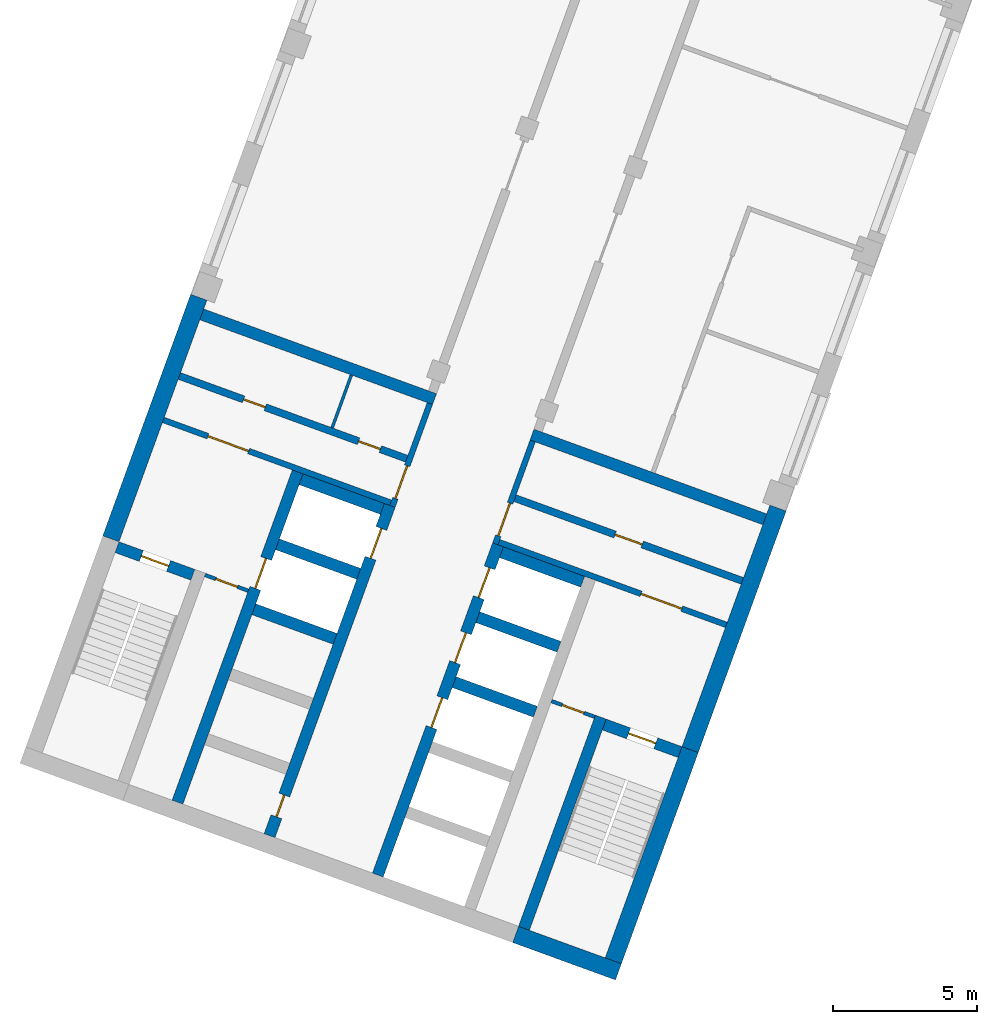
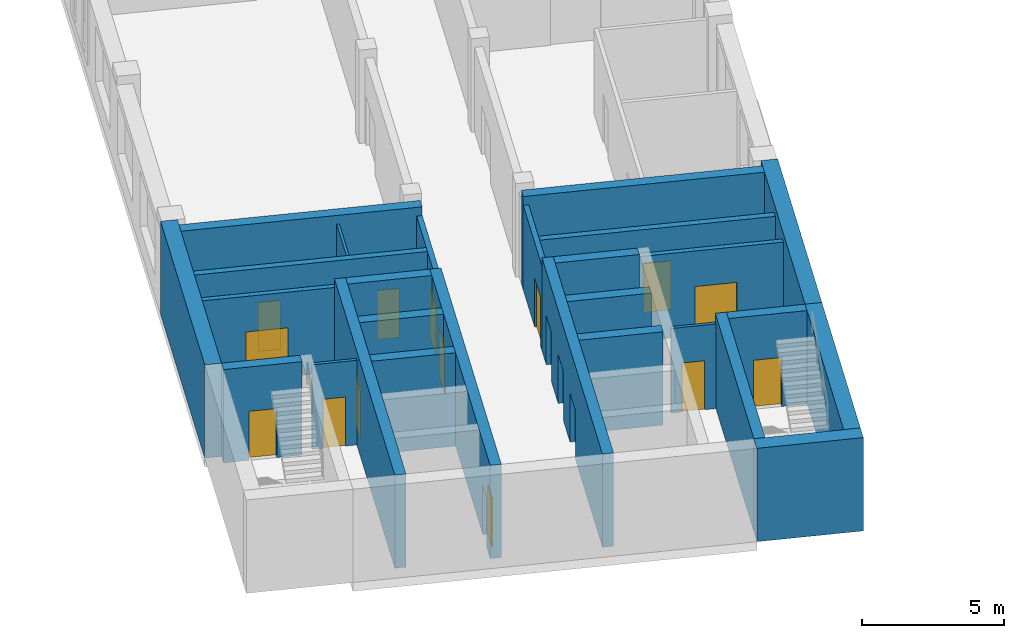
# One storey, part 2 of 12: 27 walls, 17 doors, 17 openings.
"""IFC4 building model written with IfcOpenShell, lengths in metres."""

from ifc_helpers import new_model, si_unit, direction, frame, frame_2d, origin, place, context, subcontext, project, spatial, rectangle, extrude, material, layer, layer_set, type_object, element, fill, save


model = new_model("IFC4")

# Units and contexts
model_context = context("Model", 3, precision=1e-05, world=origin(), true_north=direction((0.0, 1.0)))
body_context = subcontext(model_context, "Body", "Model", "MODEL_VIEW")
ifc_project = project(units=[si_unit("LENGTHUNIT", "METRE"), si_unit("AREAUNIT", "SQUARE_METRE"), si_unit("VOLUMEUNIT", "CUBIC_METRE"), si_unit("PLANEANGLEUNIT", "RADIAN"), si_unit("MASSUNIT", "GRAM", prefix="KILO")], contexts=[model_context])

# Site, building, storey
site_placement = place(None, origin())
site = spatial("IfcSite", under=ifc_project, at=site_placement, CompositionType="ELEMENT")
building_placement = place(site_placement, origin())
building = spatial("IfcBuilding", under=site, at=building_placement, Name="Skarvind Civic Tower", CompositionType="ELEMENT")
storey_placement = place(building_placement, frame((0.0, 0.0, 85.0)))
storey = spatial("IfcBuildingStorey", under=building, at=storey_placement, Name="L19", CompositionType="ELEMENT", Elevation=85.0)

# Wall, opening, door
ifc_material_1 = material(Name="Fire-rated masonry partition", Category="masonry")
ifc_layer_1 = layer(ifc_material_1, 0.199951171875)
ifc_layer_set_1 = layer_set([ifc_layer_1], Name="Core enclosure wall 200")
wall_type_1 = type_object("IfcWallType", Name="Core enclosure wall 200", PredefinedType="PARTITIONING", material=ifc_layer_set_1)
wall_1_placement = place(storey_placement, frame((31.491455078125, 93.693359375, 0.0), z_axis=(0.0, 0.0, 1.0), x_axis=(0.341995824804, 0.939701471648, 0.0)))
wall_1 = element("IfcWall", 1, at=wall_1_placement, inside=storey, type_object=wall_type_1, Name="Core wall C2", PredefinedType="PARTITIONING", context=body_context, shape_type="SweptSolid", body=[
    extrude(rectangle(XDim=3.800048828125, YDim=0.199951171875, at=frame_2d((1.89990234375, 0.0))), origin(), (0.0, 0.0, 1.0), 3.625),
])
opening_1_placement = place(wall_1_placement, frame((0.300048828125, 0.0, 0.0)))
opening_1 = element("IfcOpeningElement", 2, at=opening_1_placement, cuts=wall_1, Name="Opening D-L19-C2-06", PredefinedType="OPENING", context=body_context, shape_type="SweptSolid", body=[
    extrude(rectangle(XDim=1.199951171875, YDim=2.10009765625, at=frame_2d((0.60009765625, 1.050048828125))), frame((0.0, 0.10986328125, 0.0), z_axis=(0.0, -1.0, 0.0), x_axis=(1.0, 0.0, 0.0)), (0.0, 0.0, 1.0), 0.219970703125),
])
ifc_material_2 = material(Name="Fire-rated steel door", Category="steel")
door_type_1 = type_object("IfcDoorType", Name="Core lobby door 1200", OperationType="NOTDEFINED", PredefinedType="DOOR", material=ifc_material_2)
door_1_placement = place(opening_1_placement, origin())
door_1 = element("IfcDoor", 3, at=door_1_placement, inside=storey, type_object=door_type_1, Name="Fire door", OperationType="DOUBLE_DOOR_SINGLE_SWING", OverallHeight=2.10009765625, OverallWidth=1.199951171875, PredefinedType="DOOR", context=body_context, shape_type="SweptSolid", body=[
    extrude(rectangle(XDim=1.199951171875, YDim=2.10009765625, at=frame_2d((0.60009765625, 1.050048828125))), frame((0.0, 0.02490234375, 0.0), z_axis=(0.0, -1.0, 0.0), x_axis=(1.0, 0.0, 0.0)), (0.0, 0.0, 1.0), 0.050048828125),
])
fill(opening_1, door_1)

wall_2_placement = place(storey_placement, frame((23.5380859375, 96.6943359375, 0.0), z_axis=(0.0, 0.0, 1.0), x_axis=(0.939691552312, -0.342023078919, 0.0)))
wall_2 = element("IfcWall", 4, at=wall_2_placement, inside=storey, type_object=wall_type_1, Name="Core wall C2", PredefinedType="PARTITIONING", context=body_context, shape_type="SweptSolid", body=[
    extrude(rectangle(XDim=8.400146484375, YDim=0.199951171875, at=frame_2d((4.2001953125, 0.0))), origin(), (0.0, 0.0, 1.0), 3.625),
])
opening_2_placement = place(wall_2_placement, frame((1.64990234375, 0.0, 0.0)))
opening_2 = element("IfcOpeningElement", 5, at=opening_2_placement, cuts=wall_2, Name="Opening D-L19-C2-07", PredefinedType="OPENING", context=body_context, shape_type="SweptSolid", body=[
    extrude(rectangle(XDim=1.5, YDim=2.10009765625, at=frame_2d((0.75, 1.050048828125))), frame((0.0, 0.10986328125, 0.0), z_axis=(0.0, -1.0, 0.0), x_axis=(1.0, 0.0, 0.0)), (0.0, 0.0, 1.0), 0.219970703125),
])
door_type_2 = type_object("IfcDoorType", Name="Fire door 1500", OperationType="NOTDEFINED", PredefinedType="DOOR", material=ifc_material_2)
door_2_placement = place(opening_2_placement, origin())
door_2 = element("IfcDoor", 6, at=door_2_placement, inside=storey, type_object=door_type_2, Name="Fire door", OperationType="DOUBLE_DOOR_SINGLE_SWING", OverallHeight=2.10009765625, OverallWidth=1.5, PredefinedType="DOOR", context=body_context, shape_type="SweptSolid", body=[
    extrude(rectangle(XDim=1.5, YDim=2.10009765625, at=frame_2d((0.75, 1.050048828125))), frame((0.0, 0.02490234375, 0.0), z_axis=(0.0, -1.0, 0.0), x_axis=(1.0, 0.0, 0.0)), (0.0, 0.0, 1.0), 0.050048828125),
])
fill(opening_2, door_2)

wall_3_placement = place(storey_placement, frame((36.36181640625, 95.96435546875, 0.0), z_axis=(0.0, 0.0, 1.0), x_axis=(-0.341995824804, -0.939701471648, 0.0)))
wall_3 = element("IfcWall", 7, at=wall_3_placement, inside=storey, type_object=wall_type_1, Name="Core wall C2", PredefinedType="PARTITIONING", context=body_context, shape_type="SweptSolid", body=[
    extrude(rectangle(XDim=3.800048828125, YDim=0.199951171875, at=frame_2d((1.89990234375, 0.0))), origin(), (0.0, 0.0, 1.0), 3.625),
])
opening_3_placement = place(wall_3_placement, frame((2.300048828125, 0.0, 0.0)))
opening_3 = element("IfcOpeningElement", 8, at=opening_3_placement, cuts=wall_3, Name="Opening D-L19-C2-12", PredefinedType="OPENING", context=body_context, shape_type="SweptSolid", body=[
    extrude(rectangle(XDim=1.199951171875, YDim=2.10009765625, at=frame_2d((0.60009765625, 1.050048828125))), frame((0.0, 0.10986328125, 0.0), z_axis=(0.0, -1.0, 0.0), x_axis=(1.0, 0.0, 0.0)), (0.0, 0.0, 1.0), 0.219970703125),
])
door_3_placement = place(opening_3_placement, origin())
door_3 = element("IfcDoor", 9, at=door_3_placement, inside=storey, type_object=door_type_1, Name="Fire door", OperationType="DOUBLE_DOOR_SINGLE_SWING", OverallHeight=2.10009765625, OverallWidth=1.199951171875, PredefinedType="DOOR", context=body_context, shape_type="SweptSolid", body=[
    extrude(rectangle(XDim=1.199951171875, YDim=2.10009765625, at=frame_2d((0.60009765625, 1.050048828125))), frame((0.0, 0.02490234375, 0.0), z_axis=(0.0, -1.0, 0.0), x_axis=(1.0, 0.0, 0.0)), (0.0, 0.0, 1.0), 0.050048828125),
])
fill(opening_3, door_3)

wall_4_placement = place(storey_placement, frame((35.1904296875, 92.453369140625, 0.0), z_axis=(0.0, 0.0, 1.0), x_axis=(0.939691552312, -0.342023078919, 0.0)))
wall_4 = element("IfcWall", 10, at=wall_4_placement, inside=storey, type_object=wall_type_1, Name="Core wall C2", PredefinedType="PARTITIONING", context=body_context, shape_type="SweptSolid", body=[
    extrude(rectangle(XDim=8.400146484375, YDim=0.199951171875, at=frame_2d((4.2001953125, 0.0))), origin(), (0.0, 0.0, 1.0), 3.625),
])
opening_4_placement = place(wall_4_placement, frame((5.25, 0.0, 0.0)))
opening_4 = element("IfcOpeningElement", 11, at=opening_4_placement, cuts=wall_4, Name="Opening D-L19-C2-13", PredefinedType="OPENING", context=body_context, shape_type="SweptSolid", body=[
    extrude(rectangle(XDim=1.5, YDim=2.10009765625, at=frame_2d((0.75, 1.050048828125))), frame((0.0, 0.10986328125, 0.0), z_axis=(0.0, -1.0, 0.0), x_axis=(1.0, 0.0, 0.0)), (0.0, 0.0, 1.0), 0.219970703125),
])
door_4_placement = place(opening_4_placement, origin())
door_4 = element("IfcDoor", 12, at=door_4_placement, inside=storey, type_object=door_type_2, Name="Fire door", OperationType="DOUBLE_DOOR_SINGLE_SWING", OverallHeight=2.10009765625, OverallWidth=1.5, PredefinedType="DOOR", context=body_context, shape_type="SweptSolid", body=[
    extrude(rectangle(XDim=1.5, YDim=2.10009765625, at=frame_2d((0.75, 1.050048828125))), frame((0.0, 0.02490234375, 0.0), z_axis=(0.0, -1.0, 0.0), x_axis=(1.0, 0.0, 0.0)), (0.0, 0.0, 1.0), 0.050048828125),
])
fill(opening_4, door_4)

# Walls
ifc_material_3 = material(Name="Fire-rated plasterboard partition")
ifc_layer_2 = layer(ifc_material_3, 0.10009765625)
ifc_layer_set_2 = layer_set([ifc_layer_2], Name="Core partition wall 100")
wall_type_2 = type_object("IfcWallType", Name="Core partition wall 100", PredefinedType="PARTITIONING", material=ifc_layer_set_2)
wall_5_placement = place(storey_placement, frame((29.399169921875, 96.423583984375, 0.0), z_axis=(0.0, 0.0, 1.0), x_axis=(0.341913947243, 0.939731266204, 0.0)))
element("IfcWall", 13, at=wall_5_placement, inside=storey, type_object=wall_type_2, Name="Core wall C2", PredefinedType="PARTITIONING", context=body_context, shape_type="SweptSolid", body=[
    extrude(rectangle(XDim=1.949951171875, YDim=0.10009765625, at=frame_2d((0.97509765625, 0.0))), origin(), (0.0, 0.0, 1.0), 3.625),
])
ifc_material_4 = material(Name="Concrete C80", Category="concrete")
ifc_layer_3 = layer(ifc_material_4, 0.39990234375)
ifc_layer_set_3 = layer_set([ifc_layer_3], Name="Core wall 400 C80")
wall_type_3 = type_object("IfcWallType", Name="Core wall 400 C80", PredefinedType="SHEAR", material=ifc_layer_set_3)
wall_6_placement = place(storey_placement, frame((36.057861328125, 79.04833984375, 0.0), z_axis=(0.0, 0.0, 1.0), x_axis=(0.342016982193, 0.939693771338, 0.0)))
element("IfcWall", 14, at=wall_6_placement, inside=storey, type_object=wall_type_3, Name="Core wall C2 south stair inner L19", PredefinedType="SHEAR", context=body_context, shape_type="SweptSolid", body=[
    extrude(rectangle(XDim=7.800048828125, YDim=0.39990234375, at=frame_2d((3.89990234375, 0.0))), origin(), (0.0, 0.0, 1.0), 4.0),
])

# Wall, opening, door
wall_7_placement = place(storey_placement, frame((41.476318359375, 85.163818359375, 0.0), z_axis=(0.0, 0.0, 1.0), x_axis=(-0.939678810556, 0.342058084236, 0.0)))
wall_7 = element("IfcWall", 15, at=wall_7_placement, inside=storey, type_object=wall_type_3, Name="Core wall C2 south stair end L19", PredefinedType="SHEAR", context=body_context, shape_type="SweptSolid", body=[
    extrude(rectangle(XDim=2.800048828125, YDim=0.39990234375, at=frame_2d((1.39990234375, 0.0))), origin(), (0.0, 0.0, 1.0), 4.0),
])
opening_5_placement = place(wall_7_placement, frame((0.89990234375, 0.0, 0.0)))
opening_5 = element("IfcOpeningElement", 16, at=opening_5_placement, cuts=wall_7, Name="Opening D-L19-C2-14", PredefinedType="OPENING", context=body_context, shape_type="SweptSolid", body=[
    extrude(rectangle(XDim=1.0, YDim=2.10009765625, at=frame_2d((0.5, 1.050048828125))), frame((0.0, 0.2099609375, 0.0), z_axis=(0.0, -1.0, 0.0), x_axis=(1.0, 0.0, 0.0)), (0.0, 0.0, 1.0), 0.419921875),
])
door_type_3 = type_object("IfcDoorType", Name="Fire door 1000", OperationType="NOTDEFINED", PredefinedType="DOOR", material=ifc_material_2)
door_5_placement = place(opening_5_placement, origin())
door_5 = element("IfcDoor", 17, at=door_5_placement, inside=storey, type_object=door_type_3, Name="Fire door", OperationType="SINGLE_SWING_RIGHT", OverallHeight=2.10009765625, OverallWidth=1.0, PredefinedType="DOOR", context=body_context, shape_type="SweptSolid", body=[
    extrude(rectangle(XDim=1.0, YDim=2.10009765625, at=frame_2d((0.5, 1.050048828125))), frame((0.0, 0.02490234375, 0.0), z_axis=(0.0, -1.0, 0.0), x_axis=(1.0, 0.0, 0.0)), (0.0, 0.0, 1.0), 0.050048828125),
])
fill(opening_5, door_5)

wall_8_placement = place(storey_placement, frame((24.56201171875, 91.3203125, 0.0), z_axis=(0.0, 0.0, 1.0), x_axis=(-0.939717030584, 0.341953070509, 0.0)))
wall_8 = element("IfcWall", 18, at=wall_8_placement, inside=storey, type_object=wall_type_3, Name="Core wall C2 north stair end L19", PredefinedType="SHEAR", context=body_context, shape_type="SweptSolid", body=[
    extrude(rectangle(XDim=2.800048828125, YDim=0.39990234375, at=frame_2d((1.39990234375, 0.0))), origin(), (0.0, 0.0, 1.0), 4.0),
])
opening_6_placement = place(wall_8_placement, frame((0.89990234375, 0.0, 0.0)))
opening_6 = element("IfcOpeningElement", 19, at=opening_6_placement, cuts=wall_8, Name="Opening D-L19-C2-08", PredefinedType="OPENING", context=body_context, shape_type="SweptSolid", body=[
    extrude(rectangle(XDim=1.0, YDim=2.10009765625, at=frame_2d((0.5, 1.050048828125))), frame((0.0, 0.2099609375, 0.0), z_axis=(0.0, -1.0, 0.0), x_axis=(1.0, 0.0, 0.0)), (0.0, 0.0, 1.0), 0.419921875),
])
door_6_placement = place(opening_6_placement, origin())
door_6 = element("IfcDoor", 20, at=door_6_placement, inside=storey, type_object=door_type_3, Name="Fire door", OperationType="SINGLE_SWING_LEFT", OverallHeight=2.10009765625, OverallWidth=1.0, PredefinedType="DOOR", context=body_context, shape_type="SweptSolid", body=[
    extrude(rectangle(XDim=1.0, YDim=2.10009765625, at=frame_2d((0.5, 1.050048828125))), frame((0.0, 0.02490234375, 0.0), z_axis=(0.0, -1.0, 0.0), x_axis=(1.0, 0.0, 0.0)), (0.0, 0.0, 1.0), 0.050048828125),
])
fill(opening_6, door_6)

# Wall, openings, doors
wall_9_placement = place(storey_placement, frame((30.983642578125, 80.895263671875, 0.0), z_axis=(0.0, 0.0, 1.0), x_axis=(0.342021021735, 0.939692301071, 0.0)))
wall_9 = element("IfcWall", 21, at=wall_9_placement, inside=storey, type_object=wall_type_3, Name="Core wall C2 south lift row front L19", PredefinedType="SHEAR", context=body_context, shape_type="SweptSolid", body=[
    extrude(rectangle(XDim=12.199951171875, YDim=0.39990234375, at=frame_2d((6.10009765625, 0.0))), origin(), (0.0, 0.0, 1.0), 4.0),
])
opening_7_placement = place(wall_9_placement, frame((5.449951171875, 0.0, 0.0)))
opening_7 = element("IfcOpeningElement", 22, at=opening_7_placement, cuts=wall_9, Name="Opening LD21208", PredefinedType="OPENING", context=body_context, shape_type="SweptSolid", body=[
    extrude(rectangle(XDim=1.10009765625, YDim=2.10009765625, at=frame_2d((0.550048828125, 1.050048828125))), frame((0.0, 0.2099609375, 0.0), z_axis=(0.0, -1.0, 0.0), x_axis=(1.0, 0.0, 0.0)), (0.0, 0.0, 1.0), 0.419921875),
])
opening_8_placement = place(wall_9_placement, frame((7.85009765625, 0.0, 0.0)))
opening_8 = element("IfcOpeningElement", 23, at=opening_8_placement, cuts=wall_9, Name="Opening LD21209", PredefinedType="OPENING", context=body_context, shape_type="SweptSolid", body=[
    extrude(rectangle(XDim=1.10009765625, YDim=2.10009765625, at=frame_2d((0.550048828125, 1.050048828125))), frame((0.0, 0.2099609375, 0.0), z_axis=(0.0, -1.0, 0.0), x_axis=(1.0, 0.0, 0.0)), (0.0, 0.0, 1.0), 0.419921875),
])
opening_9_placement = place(wall_9_placement, frame((10.25, 0.0, 0.0)))
opening_9 = element("IfcOpeningElement", 24, at=opening_9_placement, cuts=wall_9, Name="Opening LD21210", PredefinedType="OPENING", context=body_context, shape_type="SweptSolid", body=[
    extrude(rectangle(XDim=1.10009765625, YDim=2.10009765625, at=frame_2d((0.550048828125, 1.050048828125))), frame((0.0, 0.2099609375, 0.0), z_axis=(0.0, -1.0, 0.0), x_axis=(1.0, 0.0, 0.0)), (0.0, 0.0, 1.0), 0.419921875),
])
ifc_material_5 = material(Name="Stainless steel landing door", Category="steel")
door_type_4 = type_object("IfcDoorType", Name="Lift landing door 1100", OperationType="DOUBLE_DOOR_SLIDING", PredefinedType="DOOR", material=ifc_material_5)
door_7_placement = place(opening_7_placement, origin())
door_7 = element("IfcDoor", 25, at=door_7_placement, inside=storey, type_object=door_type_4, Name="Lift landing door", OperationType="DOUBLE_DOOR_SLIDING", OverallHeight=2.10009765625, OverallWidth=1.10009765625, PredefinedType="DOOR", context=body_context, shape_type="SweptSolid", body=[
    extrude(rectangle(XDim=1.10009765625, YDim=2.10009765625, at=frame_2d((0.550048828125, 1.050048828125))), frame((0.0, 0.02490234375, 0.0), z_axis=(0.0, -1.0, 0.0), x_axis=(1.0, 0.0, 0.0)), (0.0, 0.0, 1.0), 0.050048828125),
])
fill(opening_7, door_7)
door_8_placement = place(opening_8_placement, origin())
door_8 = element("IfcDoor", 26, at=door_8_placement, inside=storey, type_object=door_type_4, Name="Lift landing door", OperationType="DOUBLE_DOOR_SLIDING", OverallHeight=2.10009765625, OverallWidth=1.10009765625, PredefinedType="DOOR", context=body_context, shape_type="SweptSolid", body=[
    extrude(rectangle(XDim=1.10009765625, YDim=2.10009765625, at=frame_2d((0.550048828125, 1.050048828125))), frame((0.0, 0.02490234375, 0.0), z_axis=(0.0, -1.0, 0.0), x_axis=(1.0, 0.0, 0.0)), (0.0, 0.0, 1.0), 0.050048828125),
])
fill(opening_8, door_8)
door_9_placement = place(opening_9_placement, origin())
door_9 = element("IfcDoor", 27, at=door_9_placement, inside=storey, type_object=door_type_4, Name="Lift landing door", OperationType="DOUBLE_DOOR_SLIDING", OverallHeight=2.10009765625, OverallWidth=1.10009765625, PredefinedType="DOOR", context=body_context, shape_type="SweptSolid", body=[
    extrude(rectangle(XDim=1.10009765625, YDim=2.10009765625, at=frame_2d((0.550048828125, 1.050048828125))), frame((0.0, 0.02490234375, 0.0), z_axis=(0.0, -1.0, 0.0), x_axis=(1.0, 0.0, 0.0)), (0.0, 0.0, 1.0), 0.050048828125),
])
fill(opening_9, door_9)

# Walls
for number, where, z_axis, x_axis, name in (
    (28, (36.453125, 86.56640625, 0.0), (0.0, 0.0, 1.0), (-0.939686455819, 0.342037080957, 0.0), "Core wall C2 south lift row division 3 L19"),
    (29, (37.27392578125, 88.82177734375, 0.0), (0.0, 0.0, 1.0), (-0.939686455819, 0.342037080957, 0.0), "Core wall C2 south lift row division 4 L19"),
):
    element("IfcWall", number, at=place(storey_placement, frame(where, z_axis=z_axis, x_axis=x_axis)), inside=storey, type_object=wall_type_3, Name=name, PredefinedType="SHEAR", context=body_context, shape_type="SweptSolid", body=[
        extrude(rectangle(XDim=3.0, YDim=0.39990234375, at=frame_2d((1.5, 0.0))), origin(), (0.0, 0.0, 1.0), 4.0),
    ])
wall_10_placement = place(storey_placement, frame((38.0947265625, 91.076904296875, 0.0), z_axis=(0.0, 0.0, 1.0), x_axis=(-0.939676934218, 0.342063238742, 0.0)))
element("IfcWall", 30, at=wall_10_placement, inside=storey, type_object=wall_type_3, Name="Core wall C2 south lift row division 5 L19", PredefinedType="SHEAR", context=body_context, shape_type="SweptSolid", body=[
    extrude(rectangle(XDim=2.999755859375, YDim=0.39990234375, at=frame_2d((1.5, 0.0))), origin(), (0.0, 0.0, 1.0), 4.0),
])

# Wall, openings, doors
wall_11_placement = place(storey_placement, frame((27.224853515625, 82.26318359375, 0.0), z_axis=(0.0, 0.0, 1.0), x_axis=(0.342014590177, 0.939694641948, 0.0)))
wall_11 = element("IfcWall", 31, at=wall_11_placement, inside=storey, type_object=wall_type_3, Name="Core wall C2 north lift row front L19", PredefinedType="SHEAR", context=body_context, shape_type="SweptSolid", body=[
    extrude(rectangle(XDim=12.2001953125, YDim=0.39990234375, at=frame_2d((6.10009765625, 0.0))), origin(), (0.0, 0.0, 1.0), 4.0),
])
opening_10_placement = place(wall_11_placement, frame((10.25, 0.0, 0.0)))
opening_10 = element("IfcOpeningElement", 32, at=opening_10_placement, cuts=wall_11, Name="Opening LD21205", PredefinedType="OPENING", context=body_context, shape_type="SweptSolid", body=[
    extrude(rectangle(XDim=1.10009765625, YDim=2.10009765625, at=frame_2d((0.550048828125, 1.050048828125))), frame((0.0, 0.2099609375, 0.0), z_axis=(0.0, -1.0, 0.0), x_axis=(1.0, 0.0, 0.0)), (0.0, 0.0, 1.0), 0.419921875),
])
opening_11_placement = place(wall_11_placement, frame((0.699951171875, 0.0, 0.0)))
opening_11 = element("IfcOpeningElement", 33, at=opening_11_placement, cuts=wall_11, Name="Opening D-L19-C2-05", PredefinedType="OPENING", context=body_context, shape_type="SweptSolid", body=[
    extrude(rectangle(XDim=0.800048828125, YDim=2.10009765625, at=frame_2d((0.39990234375, 1.050048828125))), frame((0.0, 0.2099609375, 0.0), z_axis=(0.0, -1.0, 0.0), x_axis=(1.0, 0.0, 0.0)), (0.0, 0.0, 1.0), 0.419921875),
])
door_type_5 = type_object("IfcDoorType", Name="Core riser door 800", OperationType="NOTDEFINED", PredefinedType="DOOR", material=ifc_material_2)
door_10_placement = place(opening_11_placement, origin())
door_10 = element("IfcDoor", 34, at=door_10_placement, inside=storey, type_object=door_type_5, Name="Riser door", OperationType="SINGLE_SWING_LEFT", OverallHeight=2.10009765625, OverallWidth=0.800048828125, PredefinedType="DOOR", context=body_context, shape_type="SweptSolid", body=[
    extrude(rectangle(XDim=0.800048828125, YDim=2.10009765625, at=frame_2d((0.39990234375, 1.050048828125))), frame((0.0, 0.02490234375, 0.0), z_axis=(0.0, -1.0, 0.0), x_axis=(1.0, 0.0, 0.0)), (0.0, 0.0, 1.0), 0.050048828125),
])
fill(opening_11, door_10)
door_11_placement = place(opening_10_placement, origin())
door_11 = element("IfcDoor", 35, at=door_11_placement, inside=storey, type_object=door_type_4, Name="Lift landing door", OperationType="DOUBLE_DOOR_SLIDING", OverallHeight=2.10009765625, OverallWidth=1.10009765625, PredefinedType="DOOR", context=body_context, shape_type="SweptSolid", body=[
    extrude(rectangle(XDim=1.10009765625, YDim=2.10009765625, at=frame_2d((0.550048828125, 1.050048828125))), frame((0.0, 0.02490234375, 0.0), z_axis=(0.0, -1.0, 0.0), x_axis=(1.0, 0.0, 0.0)), (0.0, 0.0, 1.0), 0.050048828125),
])
fill(opening_10, door_11)

# Wall, opening, door
wall_12_placement = place(storey_placement, frame((24.02978515625, 83.426025390625, 0.0), z_axis=(0.0, 0.0, 1.0), x_axis=(0.342014590177, 0.939694641948, 0.0)))
wall_12 = element("IfcWall", 36, at=wall_12_placement, inside=storey, type_object=wall_type_3, Name="Core wall C2 north lift row back L19", PredefinedType="SHEAR", context=body_context, shape_type="SweptSolid", body=[
    extrude(rectangle(XDim=12.2001953125, YDim=0.39990234375, at=frame_2d((6.10009765625, 0.0))), origin(), (0.0, 0.0, 1.0), 4.0),
])
opening_12_placement = place(wall_12_placement, frame((7.89990234375, 0.0, 0.0)))
opening_12 = element("IfcOpeningElement", 37, at=opening_12_placement, cuts=wall_12, Name="Opening LD21204", PredefinedType="OPENING", context=body_context, shape_type="SweptSolid", body=[
    extrude(rectangle(XDim=1.10009765625, YDim=2.10009765625, at=frame_2d((0.550048828125, 1.050048828125))), frame((0.0, 0.2099609375, 0.0), z_axis=(0.0, -1.0, 0.0), x_axis=(1.0, 0.0, 0.0)), (0.0, 0.0, 1.0), 0.419921875),
])
door_12_placement = place(opening_12_placement, origin())
door_12 = element("IfcDoor", 38, at=door_12_placement, inside=storey, type_object=door_type_4, Name="Lift landing door", OperationType="DOUBLE_DOOR_SLIDING", OverallHeight=2.10009765625, OverallWidth=1.10009765625, PredefinedType="DOOR", context=body_context, shape_type="SweptSolid", body=[
    extrude(rectangle(XDim=1.10009765625, YDim=2.10009765625, at=frame_2d((0.550048828125, 1.050048828125))), frame((0.0, 0.02490234375, 0.0), z_axis=(0.0, -1.0, 0.0), x_axis=(1.0, 0.0, 0.0)), (0.0, 0.0, 1.0), 0.050048828125),
])
fill(opening_12, door_12)

# Walls
for number, where, z_axis, x_axis, name in (
    (39, (29.49951171875, 89.097412109375, 0.0), (0.0, 0.0, 1.0), (-0.939686455819, 0.342037080957, 0.0), "Core wall C2 north lift row division 3 L19"),
    (40, (30.3203125, 91.352783203125, 0.0), (0.0, 0.0, 1.0), (-0.939712609717, 0.341965219194, 0.0), "Core wall C2 north lift row division 4 L19"),
    (41, (31.14111328125, 93.60791015625, 0.0), (0.0, 0.0, 1.0), (-0.939686455819, 0.342037080957, 0.0), "Core wall C2 north lift row division 5 L19"),
):
    element("IfcWall", number, at=place(storey_placement, frame(where, z_axis=z_axis, x_axis=x_axis)), inside=storey, type_object=wall_type_3, Name=name, PredefinedType="SHEAR", context=body_context, shape_type="SweptSolid", body=[
        extrude(rectangle(XDim=3.0, YDim=0.39990234375, at=frame_2d((1.5, 0.0))), origin(), (0.0, 0.0, 1.0), 4.0),
    ])
for number, where, z_axis, x_axis, name in (
    (42, (44.417724609375, 93.2451171875, 0.0), (0.0, 0.0, 1.0), (-0.93969060187, 0.342025690201, 0.0), "Core wall C2 south inner face L19"),
    (43, (32.953369140625, 97.417724609375, 0.0), (0.0, 0.0, 1.0), (-0.93969060187, 0.342025690201, 0.0), "Core wall C2 north inner face L19"),
):
    element("IfcWall", number, at=place(storey_placement, frame(where, z_axis=z_axis, x_axis=x_axis)), inside=storey, type_object=wall_type_3, Name=name, PredefinedType="SHEAR", context=body_context, shape_type="SweptSolid", body=[
        extrude(rectangle(XDim=8.599853515625, YDim=0.39990234375, at=frame_2d((4.2998046875, 0.0))), origin(), (0.0, 0.0, 1.0), 4.0),
    ])
ifc_layer_4 = layer(ifc_material_4, 0.60009765625)
ifc_layer_set_4 = layer_set([ifc_layer_4], Name="Core wall 600 C80")
wall_type_4 = type_object("IfcWallType", Name="Core wall 600 C80", PredefinedType="SHEAR", material=ifc_layer_set_4)
wall_13_placement = place(storey_placement, frame((39.338134765625, 77.53515625, 0.0), z_axis=(0.0, 0.0, 1.0), x_axis=(-0.939701471648, 0.341995824804, 0.0)))
element("IfcWall", 44, at=wall_13_placement, inside=storey, type_object=wall_type_4, Name="Core wall C2 tip at the south stair L19", PredefinedType="SHEAR", context=body_context, shape_type="SweptSolid", body=[
    extrude(rectangle(XDim=3.800048828125, YDim=0.60009765625, at=frame_2d((1.89990234375, 0.0))), origin(), (0.0, 0.0, 1.0), 4.0),
])
wall_14_placement = place(storey_placement, frame((39.158935546875, 77.919677734375, 0.0), z_axis=(0.0, 0.0, 1.0), x_axis=(0.342016982193, 0.939693771338, 0.0)))
element("IfcWall", 45, at=wall_14_placement, inside=storey, type_object=wall_type_4, Name="Core wall C2 south side at the stair L19", PredefinedType="SHEAR", context=body_context, shape_type="SweptSolid", body=[
    extrude(rectangle(XDim=7.800048828125, YDim=0.60009765625, at=frame_2d((3.89990234375, 0.0))), origin(), (0.0, 0.0, 1.0), 4.0),
])
for number, where, z_axis, x_axis, name in (
    (46, (41.82666015625, 85.249267578125, 0.0), (0.0, 0.0, 1.0), (0.342017595281, 0.939693548195, 0.0), "Core wall C2 south side L19"),
    (47, (21.71728515625, 92.568359375, 0.0), (0.0, 0.0, 1.0), (0.342017595281, 0.939693548195, 0.0), "Core wall C2 north side L19"),
):
    element("IfcWall", number, at=place(storey_placement, frame(where, z_axis=z_axis, x_axis=x_axis)), inside=storey, type_object=wall_type_4, Name=name, PredefinedType="SHEAR", context=body_context, shape_type="SweptSolid", body=[
        extrude(rectangle(XDim=8.925048828125, YDim=0.60009765625, at=frame_2d((4.46240234375, 0.0))), origin(), (0.0, 0.0, 1.0), 4.0),
    ])

# Wall, opening, door
ifc_layer_5 = layer(ifc_material_1, 0.125)
ifc_layer_set_5 = layer_set([ifc_layer_5], Name="Riser wall 125")
wall_type_5 = type_object("IfcWallType", Name="Riser wall 125", PredefinedType="PARTITIONING", material=ifc_layer_set_5)
wall_15_placement = place(storey_placement, frame((24.98486328125, 91.3125, 0.0), z_axis=(0.0, 0.0, 1.0), x_axis=(0.939708740826, -0.341975850632, 0.0)))
wall_15 = element("IfcWall", 48, at=wall_15_placement, inside=storey, type_object=wall_type_5, Name="Core wall C2", PredefinedType="PARTITIONING", context=body_context, shape_type="SweptSolid", body=[
    extrude(rectangle(XDim=1.599853515625, YDim=0.125, at=frame_2d((0.7998046875, 0.0))), origin(), (0.0, 0.0, 1.0), 3.625),
])
opening_13_placement = place(wall_15_placement, frame((0.39990234375, 0.0, 0.0)))
opening_13 = element("IfcOpeningElement", 49, at=opening_13_placement, cuts=wall_15, Name="Opening D-L19-C2-09", PredefinedType="OPENING", context=body_context, shape_type="SweptSolid", body=[
    extrude(rectangle(XDim=0.800048828125, YDim=2.10009765625, at=frame_2d((0.39990234375, 1.050048828125))), frame((0.0, 0.072509765625, 0.0), z_axis=(0.0, -1.0, 0.0), x_axis=(1.0, 0.0, 0.0)), (0.0, 0.0, 1.0), 0.14501953125),
])
door_13_placement = place(opening_13_placement, origin())
door_13 = element("IfcDoor", 50, at=door_13_placement, inside=storey, type_object=door_type_5, Name="Riser door", OperationType="SINGLE_SWING_RIGHT", OverallHeight=2.10009765625, OverallWidth=0.800048828125, PredefinedType="DOOR", context=body_context, shape_type="SweptSolid", body=[
    extrude(rectangle(XDim=0.800048828125, YDim=2.10009765625, at=frame_2d((0.39990234375, 1.050048828125))), frame((0.0, 0.02490234375, 0.0), z_axis=(0.0, -1.0, 0.0), x_axis=(1.0, 0.0, 0.0)), (0.0, 0.0, 1.0), 0.050048828125),
])
fill(opening_13, door_13)

wall_16_placement = place(storey_placement, frame((37.012939453125, 86.934814453125, 0.0), z_axis=(0.0, 0.0, 1.0), x_axis=(0.939659694648, -0.342110593602, 0.0)))
wall_16 = element("IfcWall", 51, at=wall_16_placement, inside=storey, type_object=wall_type_5, Name="Core wall C2", PredefinedType="PARTITIONING", context=body_context, shape_type="SweptSolid", body=[
    extrude(rectangle(XDim=1.599853515625, YDim=0.125, at=frame_2d((0.7998046875, 0.0))), origin(), (0.0, 0.0, 1.0), 3.625),
])
opening_14_placement = place(wall_16_placement, frame((0.39990234375, 0.0, 0.0)))
opening_14 = element("IfcOpeningElement", 52, at=opening_14_placement, cuts=wall_16, Name="Opening D-L19-C2-15", PredefinedType="OPENING", context=body_context, shape_type="SweptSolid", body=[
    extrude(rectangle(XDim=0.800048828125, YDim=2.10009765625, at=frame_2d((0.39990234375, 1.050048828125))), frame((0.0, 0.072509765625, 0.0), z_axis=(0.0, -1.0, 0.0), x_axis=(1.0, 0.0, 0.0)), (0.0, 0.0, 1.0), 0.14501953125),
])
door_14_placement = place(opening_14_placement, origin())
door_14 = element("IfcDoor", 53, at=door_14_placement, inside=storey, type_object=door_type_5, Name="Riser door", OperationType="SINGLE_SWING_LEFT", OverallHeight=2.10009765625, OverallWidth=0.800048828125, PredefinedType="DOOR", context=body_context, shape_type="SweptSolid", body=[
    extrude(rectangle(XDim=0.800048828125, YDim=2.10009765625, at=frame_2d((0.39990234375, 1.050048828125))), frame((0.0, 0.02490234375, 0.0), z_axis=(0.0, -1.0, 0.0), x_axis=(1.0, 0.0, 0.0)), (0.0, 0.0, 1.0), 0.050048828125),
])
fill(opening_14, door_14)

# Wall, openings, doors
ifc_layer_6 = layer(ifc_material_1, 0.25)
ifc_layer_set_6 = layer_set([ifc_layer_6], Name="Service block wall 250")
wall_type_6 = type_object("IfcWallType", Name="Service block wall 250", PredefinedType="PARTITIONING", material=ifc_layer_set_6)
wall_17_placement = place(storey_placement, frame((24.093994140625, 98.221435546875, 0.0), z_axis=(0.0, 0.0, 1.0), x_axis=(0.939691552312, -0.342023078919, 0.0)))
wall_17 = element("IfcWall", 54, at=wall_17_placement, inside=storey, type_object=wall_type_6, Name="Core wall C2", PredefinedType="PARTITIONING", context=body_context, shape_type="SweptSolid", body=[
    extrude(rectangle(XDim=8.400146484375, YDim=0.25, at=frame_2d((4.2001953125, 0.0))), origin(), (0.0, 0.0, 1.0), 3.625),
])
opening_15_placement = place(wall_17_placement, frame((6.625, 0.0, 0.0)))
opening_15 = element("IfcOpeningElement", 55, at=opening_15_placement, cuts=wall_17, Name="Opening D-L19-C2-10", PredefinedType="OPENING", context=body_context, shape_type="SweptSolid", body=[
    extrude(rectangle(XDim=0.800048828125, YDim=2.10009765625, at=frame_2d((0.39990234375, 1.050048828125))), frame((0.0, 0.135009765625, 0.0), z_axis=(0.0, -1.0, 0.0), x_axis=(1.0, 0.0, 0.0)), (0.0, 0.0, 1.0), 0.27001953125),
])
opening_16_placement = place(wall_17_placement, frame((2.375, 0.0, 0.0)))
opening_16 = element("IfcOpeningElement", 56, at=opening_16_placement, cuts=wall_17, Name="Opening D-L19-C2-11", PredefinedType="OPENING", context=body_context, shape_type="SweptSolid", body=[
    extrude(rectangle(XDim=0.800048828125, YDim=2.10009765625, at=frame_2d((0.39990234375, 1.050048828125))), frame((0.0, 0.135009765625, 0.0), z_axis=(0.0, -1.0, 0.0), x_axis=(1.0, 0.0, 0.0)), (0.0, 0.0, 1.0), 0.27001953125),
])
door_15_placement = place(opening_15_placement, origin())
door_15 = element("IfcDoor", 57, at=door_15_placement, inside=storey, type_object=door_type_5, Name="Riser door", OperationType="SINGLE_SWING_LEFT", OverallHeight=2.10009765625, OverallWidth=0.800048828125, PredefinedType="DOOR", context=body_context, shape_type="SweptSolid", body=[
    extrude(rectangle(XDim=0.800048828125, YDim=2.10009765625, at=frame_2d((0.39990234375, 1.050048828125))), frame((0.0, 0.02490234375, 0.0), z_axis=(0.0, -1.0, 0.0), x_axis=(1.0, 0.0, 0.0)), (0.0, 0.0, 1.0), 0.050048828125),
])
fill(opening_15, door_15)
door_16_placement = place(opening_16_placement, origin())
door_16 = element("IfcDoor", 58, at=door_16_placement, inside=storey, type_object=door_type_5, Name="Riser door", OperationType="SINGLE_SWING_RIGHT", OverallHeight=2.10009765625, OverallWidth=0.800048828125, PredefinedType="DOOR", context=body_context, shape_type="SweptSolid", body=[
    extrude(rectangle(XDim=0.800048828125, YDim=2.10009765625, at=frame_2d((0.39990234375, 1.050048828125))), frame((0.0, 0.02490234375, 0.0), z_axis=(0.0, -1.0, 0.0), x_axis=(1.0, 0.0, 0.0)), (0.0, 0.0, 1.0), 0.050048828125),
])
fill(opening_16, door_16)

# Wall, opening, door
wall_18_placement = place(storey_placement, frame((35.74609375, 93.98046875, 0.0), z_axis=(0.0, 0.0, 1.0), x_axis=(0.939691552312, -0.342023078919, 0.0)))
wall_18 = element("IfcWall", 59, at=wall_18_placement, inside=storey, type_object=wall_type_6, Name="Core wall C2", PredefinedType="PARTITIONING", context=body_context, shape_type="SweptSolid", body=[
    extrude(rectangle(XDim=8.400146484375, YDim=0.25, at=frame_2d((4.2001953125, 0.0))), origin(), (0.0, 0.0, 1.0), 3.625),
])
opening_17_placement = place(wall_18_placement, frame((3.699951171875, 0.0, 0.0)))
opening_17 = element("IfcOpeningElement", 60, at=opening_17_placement, cuts=wall_18, Name="Opening D-L19-C2-16", PredefinedType="OPENING", context=body_context, shape_type="SweptSolid", body=[
    extrude(rectangle(XDim=1.0, YDim=2.10009765625, at=frame_2d((0.5, 1.050048828125))), frame((0.0, 0.135009765625, 0.0), z_axis=(0.0, -1.0, 0.0), x_axis=(1.0, 0.0, 0.0)), (0.0, 0.0, 1.0), 0.27001953125),
])
door_17_placement = place(opening_17_placement, origin())
door_17 = element("IfcDoor", 61, at=door_17_placement, inside=storey, type_object=door_type_3, Name="Fire door", OperationType="SINGLE_SWING_RIGHT", OverallHeight=2.10009765625, OverallWidth=1.0, PredefinedType="DOOR", context=body_context, shape_type="SweptSolid", body=[
    extrude(rectangle(XDim=1.0, YDim=2.10009765625, at=frame_2d((0.5, 1.050048828125))), frame((0.0, 0.02490234375, 0.0), z_axis=(0.0, -1.0, 0.0), x_axis=(1.0, 0.0, 0.0)), (0.0, 0.0, 1.0), 0.050048828125),
])
fill(opening_17, door_17)

save(model, "model.ifc")
